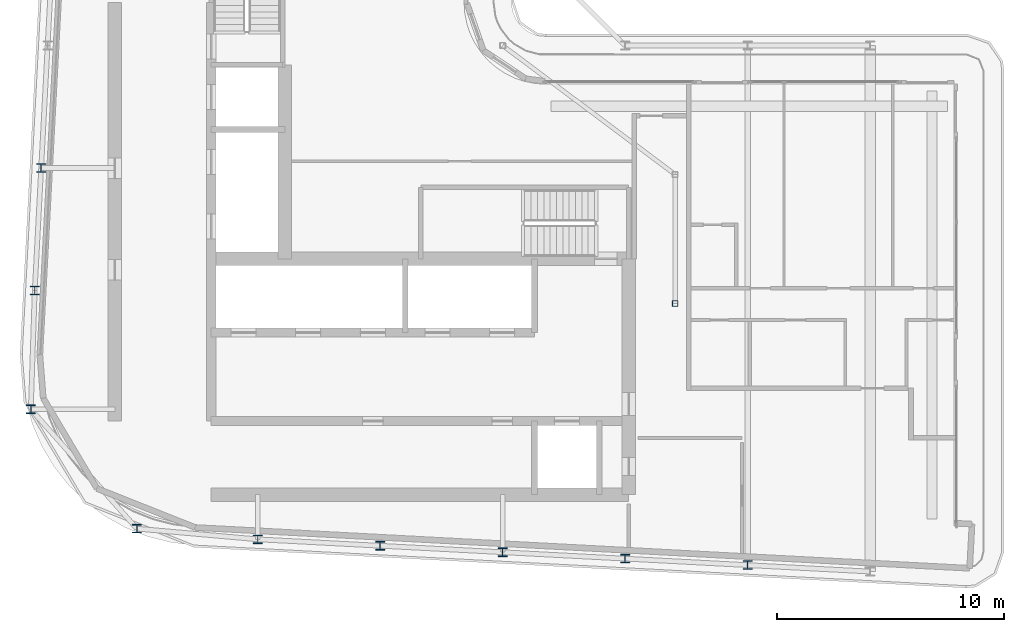
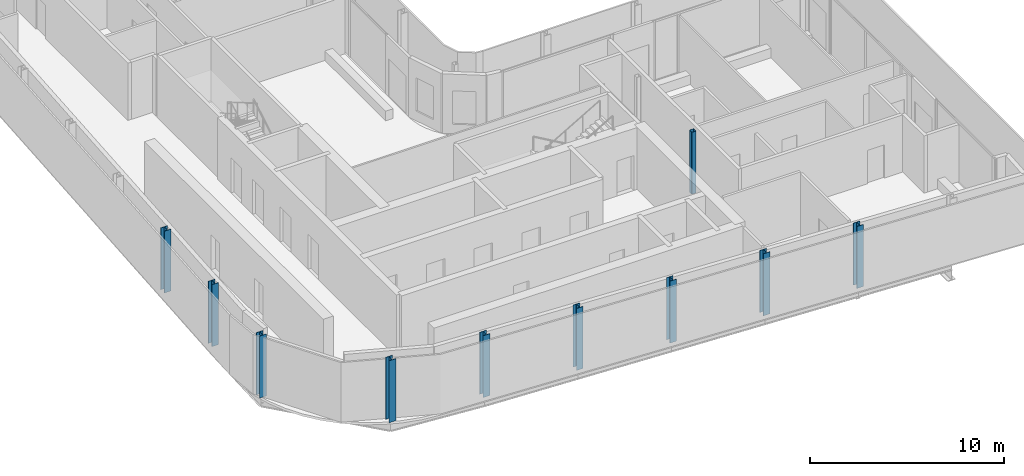
# One storey, part 1 of 21: 10 columns.
"""IFC4 building model written with IfcOpenShell, lengths in metres."""

import ifcopenshell
import ifcopenshell.guid

model = None  # the IFC model being written
_history = None  # IfcOwnerHistory: only IFC2X3 demands one
_inside = {}  # id of a spatial element -> (the spatial element, [elements in it])
_under = {}  # id of a project, library or spatial element -> (it, [spatial elements below it])
_declared = {}  # id of a project -> (the project, [libraries it declares])
_typed = {}  # id of a type object -> (the type object, [elements of that type])
_made_of = {}  # id of a material, layer set ... -> (it, [elements and type objects made of it])


def new_model(schema):
    """Start an empty IFC model of exactly this schema.

    Asked for "IFC4X3", IfcOpenShell would pick the latest addendum, in which some entities
    have other attributes; the version numbers below select the first issue.
    IFC2X3 requires an IfcOwnerHistory on every rooted entity: one is made here for all.
    """
    global model, _history
    if schema == "IFC4X3":
        model = ifcopenshell.file(schema_version=(4, 3, 0, 0))
    else:
        model = ifcopenshell.file(schema=schema)
    _inside.clear()
    _under.clear()
    _declared.clear()
    _typed.clear()
    _made_of.clear()
    _history = None
    if model.schema == "IFC2X3":
        org = make("IfcOrganization", Name="unknown")
        user = make(
            "IfcPersonAndOrganization",
            ThePerson=make("IfcPerson", FamilyName="unknown"),
            TheOrganization=org,
        )
        app = make(
            "IfcApplication",
            ApplicationDeveloper=org,
            Version="unknown",
            ApplicationFullName="unknown",
            ApplicationIdentifier="unknown",
        )
        _history = make(
            "IfcOwnerHistory",
            OwningUser=user,
            OwningApplication=app,
            ChangeAction="ADDED",
            CreationDate=0,
        )
    return model


def make(cls, **values):
    """One entity of the class cls with the attributes given. An attribute that is None is left unset."""
    return model.create_entity(
        cls, **{name: value for name, value in values.items() if value is not None}
    )


def rooted(cls, **values):
    """An entity with a GlobalId (a new one), such as an element, a storey or a relation."""
    return make(cls, GlobalId=ifcopenshell.guid.new(), OwnerHistory=_history, **values)


def si_unit(unit_type, name, prefix=None):
    """IfcSIUnit, for example si_unit("LENGTHUNIT", "METRE", prefix="MILLI")."""
    return make("IfcSIUnit", UnitType=unit_type, Prefix=prefix, Name=name)


def assignment(units):
    """IfcUnitAssignment: the units of a project."""
    return None if units is None else make("IfcUnitAssignment", Units=units)


def point(xyz):
    """IfcCartesianPoint."""
    return None if xyz is None else make("IfcCartesianPoint", Coordinates=xyz)


def direction(xyz):
    """IfcDirection."""
    return None if xyz is None else make("IfcDirection", DirectionRatios=xyz)


def frame(location, z_axis=None, x_axis=None):
    """IfcAxis2Placement3D, a coordinate frame: its origin and axes. An axis left out is left unset."""
    return make(
        "IfcAxis2Placement3D",
        Location=point(location),
        Axis=direction(z_axis),
        RefDirection=direction(x_axis),
    )


def frame_2d(location, x_axis=None):
    """IfcAxis2Placement2D, a coordinate frame in the plane: its origin and x axis."""
    return make(
        "IfcAxis2Placement2D", Location=point(location), RefDirection=direction(x_axis)
    )


def origin():
    """The frame at (0, 0, 0) with its axes left unset."""
    return frame((0.0, 0.0, 0.0))


def origin_2d():
    """The frame at (0, 0) in the plane with its x axis left unset."""
    return frame_2d((0.0, 0.0))


def place(relative_to, where):
    """IfcLocalPlacement: puts the frame where relative to a parent placement (None: the world)."""
    return make(
        "IfcLocalPlacement", PlacementRelTo=relative_to, RelativePlacement=where
    )


def context(
    kind, dimensions, precision=None, world=None, true_north=None, identifier=None
):
    """IfcGeometricRepresentationContext, for example the 3D "Model" context."""
    return make(
        "IfcGeometricRepresentationContext",
        ContextIdentifier=identifier,
        ContextType=kind,
        CoordinateSpaceDimension=dimensions,
        Precision=precision,
        WorldCoordinateSystem=world,
        TrueNorth=true_north,
    )


def subcontext(parent, identifier, kind, view, scale=None):
    """IfcGeometricRepresentationSubContext, for example "Body" below "Model"."""
    return make(
        "IfcGeometricRepresentationSubContext",
        ContextIdentifier=identifier,
        ContextType=kind,
        ParentContext=parent,
        TargetScale=scale,
        TargetView=view,
    )


def project(units=None, contexts=None):
    """IfcProject with its units and contexts."""
    return rooted(
        "IfcProject",
        Name="project",
        RepresentationContexts=contexts,
        UnitsInContext=assignment(units),
    )


def spatial(cls, under=None, at=None, **own):
    """A site, building, storey or space (cls), placed at a placement, below another one or the project."""
    s = rooted(cls, ObjectPlacement=at, **own)
    if under is not None:
        _under.setdefault(under.id(), (under, []))[1].append(s)
    return s


def profile(cls, at=None, kind="AREA", **sizes):
    """A parametric profile (cls). Its sizes go by their IFC names, for example OverallWidth=200.0."""
    return make(cls, ProfileType=kind, Position=at, **sizes)


def hollow_rectangle(**sizes):
    """IfcRectangleHollowProfileDef."""
    return profile("IfcRectangleHollowProfileDef", **sizes)


def i_section(**sizes):
    """IfcIShapeProfileDef."""
    return profile("IfcIShapeProfileDef", **sizes)


def extrude(swept, where, along, depth):
    """IfcExtrudedAreaSolid: the profile swept, set in the frame where, extruded along a direction by depth."""
    return make(
        "IfcExtrudedAreaSolid",
        SweptArea=swept,
        Position=where,
        ExtrudedDirection=direction(along),
        Depth=depth,
    )


def shape(context_of_items, identifier, shape_type, items):
    """IfcShapeRepresentation: the items that make up one representation, for example the "Body"."""
    return make(
        "IfcShapeRepresentation",
        ContextOfItems=context_of_items,
        RepresentationIdentifier=identifier,
        RepresentationType=shape_type,
        Items=items,
    )


def material(Name=None, Category=None):
    """IfcMaterial."""
    return make("IfcMaterial", Name=Name, Category=Category)


def material_profile(
    of_material, cross_section, Name=None, Category=None, Priority=None
):
    """IfcMaterialProfile: a cross section and its material."""
    return make(
        "IfcMaterialProfile",
        Name=Name,
        Material=of_material,
        Profile=cross_section,
        Priority=Priority,
        Category=Category,
    )


def profile_set(profiles, Name=None, composite=None):
    """IfcMaterialProfileSet."""
    return make(
        "IfcMaterialProfileSet",
        Name=Name,
        MaterialProfiles=profiles,
        CompositeProfile=composite,
    )


def made_of(thing, what):
    """Note that an element or type object is made of a material, layer set ...; save() writes the relation."""
    if what is not None:
        _made_of.setdefault(what.id(), (what, []))[1].append(thing)
    return thing


def type_object(cls, material=None, **own):
    """A type object (cls), such as IfcWallType, which elements share."""
    return made_of(rooted(cls, **own), material)


def element(
    cls,
    number,
    at=None,
    inside=None,
    cuts=None,
    type_object=None,
    material=None,
    context=None,
    identifier="Body",
    shape_type=None,
    held_by="IfcProductDefinitionShape",
    body=None,
    shapes=None,
    **own,
):
    """One element of the class cls, such as IfcWall. Its Tag is "e" and its number.

    at: its placement. inside: the storey or other place that contains it. cuts: it is an
    opening in that element (IfcRelVoidsElement). A single representation is given by context,
    identifier, shape_type and body (its items); several are given by shapes. held_by: the class
    of the entity that holds the representations. save() writes the other relations.
    """
    e = rooted(cls, Tag="e%d" % number, ObjectPlacement=at, **own)
    if body is not None:
        shapes = [shape(context, identifier, shape_type, body)]
    if shapes is not None:
        e.Representation = make(held_by, Representations=shapes)
    if inside is not None:
        _inside.setdefault(inside.id(), (inside, []))[1].append(e)
    if cuts is not None:
        rooted(
            "IfcRelVoidsElement", RelatingBuildingElement=cuts, RelatedOpeningElement=e
        )
    if type_object is not None:
        _typed.setdefault(type_object.id(), (type_object, []))[1].append(e)
    return made_of(e, material)


def aggregate(whole, parts):
    """IfcRelAggregates: a whole, such as a stair, and the parts it consists of."""
    return rooted("IfcRelAggregates", RelatingObject=whole, RelatedObjects=parts)


def save(model, path):
    """Write the relations noted so far, then the file.

    IfcRelAggregates (storeys below a building ...), IfcRelContainedInSpatialStructure (elements
    in a storey), IfcRelDefinesByType, IfcRelAssociatesMaterial and IfcRelDeclares: one each for
    every whole, place, type object, material and project.
    """
    for whole, parts in _under.values():
        aggregate(whole, parts)
    for where, things in _inside.values():
        rooted(
            "IfcRelContainedInSpatialStructure",
            RelatedElements=things,
            RelatingStructure=where,
        )
    for kind, things in _typed.values():
        rooted("IfcRelDefinesByType", RelatedObjects=things, RelatingType=kind)
    for what, things in _made_of.values():
        rooted("IfcRelAssociatesMaterial", RelatedObjects=things, RelatingMaterial=what)
    for by, libraries in _declared.values():
        rooted("IfcRelDeclares", RelatingContext=by, RelatedDefinitions=libraries)
    model.write(path)


model = new_model("IFC4")

# Units and contexts
model_context = context("Model", 3, precision=1e-05, world=origin(), true_north=direction((0.0, 1.0)))
body_context = subcontext(model_context, "Body", "Model", "MODEL_VIEW")
ifc_project = project(units=[si_unit("LENGTHUNIT", "METRE"), si_unit("AREAUNIT", "SQUARE_METRE"), si_unit("VOLUMEUNIT", "CUBIC_METRE"), si_unit("PLANEANGLEUNIT", "RADIAN"), si_unit("MASSUNIT", "GRAM", prefix="KILO")], contexts=[model_context])

# Site, building, storey
site_placement = place(None, origin())
site = spatial("IfcSite", under=ifc_project, at=site_placement, CompositionType="ELEMENT")
building_placement = place(site_placement, origin())
building = spatial("IfcBuilding", under=site, at=building_placement, Name="Kheshtan School and Residences Tower", CompositionType="ELEMENT")
storey_placement = place(building_placement, frame((0.0, 0.0, 321.5)))
storey = spatial("IfcBuildingStorey", under=building, at=storey_placement, Name="L76", CompositionType="ELEMENT", Elevation=321.5)

# Columns
ifc_material_1 = material(Name="Steel ASTM A992 Grade 50", Category="steel")
ifc_material_profile_1 = material_profile(ifc_material_1, i_section(OverallWidth=0.39501953125, OverallDepth=0.3798828125, WebThickness=0.018798828125, FlangeThickness=0.0302734375, FilletRadius=0.011474609375, at=origin_2d()), Name="W360x237")
ifc_profile_set_1 = profile_set([ifc_material_profile_1], Name="Steel ASTM A992 Grade 50")
column_type_1 = type_object("IfcColumnType", Name="Column C5 W360x237 ASTM A992 Grade 50", PredefinedType="COLUMN", material=ifc_profile_set_1)
for number, where, z_axis, x_axis, name in (
    (1, (58.39990234375, 22.695068359375, 0.0), (0.0, 0.0, 1.0), (1.0, 0.0, 0.0), "Column C018"),
    (2, (53.0, 22.97998046875, 0.0), (0.0, 0.0, 1.0), (1.0, 0.0, 0.0), "Column C019"),
    (3, (47.60009765625, 23.263916015625, 0.0), (0.0, 0.0, 1.0), (1.0, 0.0, 0.0), "Column C020"),
    (4, (42.199951171875, 23.548095703125, 0.0), (0.0, 0.0, 1.0), (1.0, 0.0, 0.0), "Column C021"),
    (5, (36.800048828125, 23.83203125, 0.0), (0.0, 0.0, 1.0), (1.0, 0.0, 0.0), "Column C022"),
    (6, (31.47412109375, 24.302001953125, 0.0), (0.0, 0.0, 1.0), (1.0, 0.0, 0.0), "Column C031"),
    (7, (26.797119140625, 29.56591796875, 0.0), (0.0, 0.0, 1.0), (1.0, 0.0, 0.0), "Column C044"),
    (8, (26.968994140625, 34.800048828125, 0.0), (0.0, 0.0, 1.0), (1.0, 0.0, 0.0), "Column C052"),
    (9, (27.2529296875, 40.199951171875, 0.0), (0.0, 0.0, 1.0), (1.0, 0.0, 0.0), "Column C056"),
):
    element("IfcColumn", number, at=place(storey_placement, frame(where, z_axis=z_axis, x_axis=x_axis)), inside=storey, type_object=column_type_1, Name=name, PredefinedType="COLUMN", context=body_context, shape_type="SweptSolid", body=[
        extrude(i_section(OverallWidth=0.39501953125, OverallDepth=0.3798828125, WebThickness=0.018798828125, FlangeThickness=0.0302734375, FilletRadius=0.011474609375, at=origin_2d()), origin(), (0.0, 0.0, 1.0), 3.89990234375),
    ])
ifc_material_2 = material(Name="Steel ASTM A500 Grade C", Category="steel")
ifc_material_profile_2 = material_profile(ifc_material_2, hollow_rectangle(XDim=0.25390625, YDim=0.25390625, WallThickness=0.0126953125, InnerFilletRadius=0.0126953125, OuterFilletRadius=0.025390625, at=origin_2d()), Name="HSS 254x254x12.7")
ifc_profile_set_2 = profile_set([ifc_material_profile_2], Name="Steel ASTM A500 Grade C")
column_type_2 = type_object("IfcColumnType", Name="Column IC3 HSS 254x254x12.7 ASTM A500 Grade C", PredefinedType="COLUMN", material=ifc_profile_set_2)
column_placement = place(storey_placement, frame((55.199951171875, 34.23193359375, 0.0), z_axis=(0.0, 0.0, 1.0), x_axis=(1.0, 0.0, 0.0)))
element("IfcColumn", 10, at=column_placement, inside=storey, type_object=column_type_2, Name="Column C051", PredefinedType="COLUMN", context=body_context, shape_type="SweptSolid", body=[
    extrude(hollow_rectangle(XDim=0.25390625, YDim=0.25390625, WallThickness=0.0126953125, InnerFilletRadius=0.0126953125, OuterFilletRadius=0.025390625, at=origin_2d()), origin(), (0.0, 0.0, 1.0), 3.89990234375),
])

save(model, "model.ifc")
